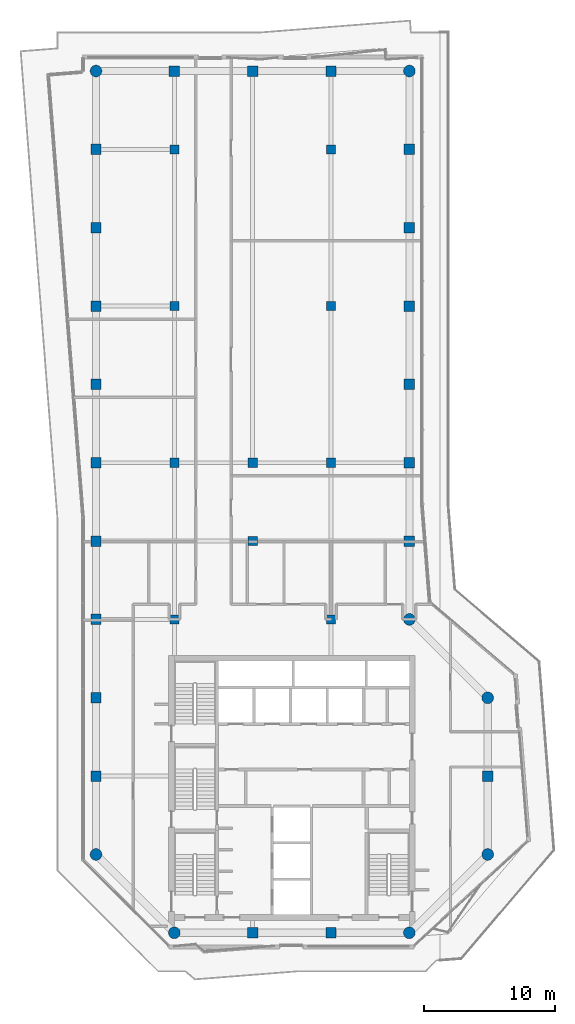
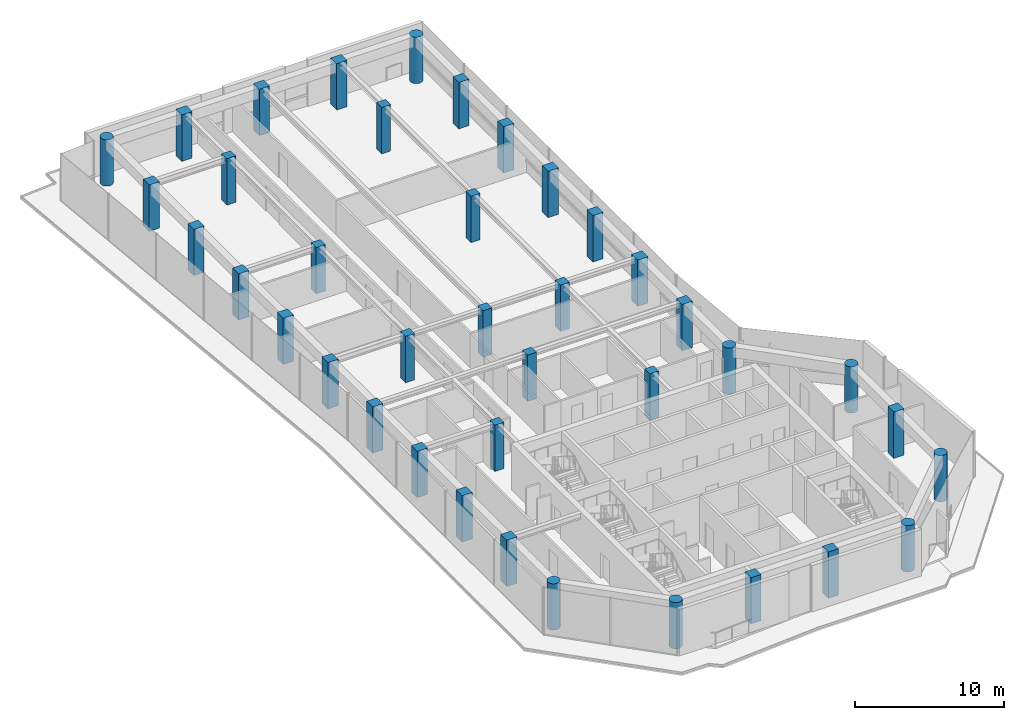
# One storey, part 1 of 23: 39 columns.
"""IFC4 building model written with IfcOpenShell, lengths in metres."""

from ifc_helpers import new_model, si_unit, direction, frame, origin, origin_2d, place, context, subcontext, project, spatial, rectangle, circle, extrude, material, material_profile, profile_set, type_object, element, save


model = new_model("IFC4")

# Units and contexts
model_context = context("Model", 3, precision=1e-05, world=origin(), true_north=direction((0.0, 1.0)))
body_context = subcontext(model_context, "Body", "Model", "MODEL_VIEW")
ifc_project = project(units=[si_unit("LENGTHUNIT", "METRE"), si_unit("AREAUNIT", "SQUARE_METRE"), si_unit("VOLUMEUNIT", "CUBIC_METRE"), si_unit("PLANEANGLEUNIT", "RADIAN"), si_unit("MASSUNIT", "GRAM", prefix="KILO")], contexts=[model_context])

# Site, building, storey
site_placement = place(None, origin())
site = spatial("IfcSite", under=ifc_project, at=site_placement, CompositionType="ELEMENT")
building_placement = place(site_placement, origin())
building = spatial("IfcBuilding", under=site, at=building_placement, Name="Welwitschia Terrace Campus", CompositionType="ELEMENT")
storey_placement = place(building_placement, frame((0.0, 0.0, 209.60009765625)))
storey = spatial("IfcBuildingStorey", under=building, at=storey_placement, Name="L46", CompositionType="ELEMENT", Elevation=209.60009765625)

# Columns
ifc_material_1 = material(Name="Concrete C50/60", Category="concrete")
ifc_material_profile_1 = material_profile(ifc_material_1, circle(Radius=0.449951171875, at=origin_2d()))
ifc_profile_set_1 = profile_set([ifc_material_profile_1], Name="Concrete C50/60")
column_type_1 = type_object("IfcColumnType", Name="Corner column 900 dia", PredefinedType="COLUMN", material=ifc_profile_set_1)
for number, where, z_axis, x_axis, name in (
    (1, (0.0, 10.0, 0.0), (0.0, 0.0, 1.0), (1.0, 0.0, 0.0), "Column C32"),
    (2, (0.0, 70.0, 0.0), (0.0, 0.0, 1.0), (1.0, 0.0, 0.0), "Column C32"),
    (3, (6.0, 4.0, 0.0), (0.0, 0.0, 1.0), (1.0, 0.0, 0.0), "Column C32"),
    (4, (24.0, 4.0, 0.0), (0.0, 0.0, 1.0), (1.0, 0.0, 0.0), "Column C32"),
    (5, (24.0, 28.0, 0.0), (0.0, 0.0, 1.0), (1.0, 0.0, 0.0), "Column C32"),
    (6, (24.0, 70.0, 0.0), (0.0, 0.0, 1.0), (1.0, 0.0, 0.0), "Column C32"),
    (7, (30.0, 10.0, 0.0), (0.0, 0.0, 1.0), (1.0, 0.0, 0.0), "Column C32"),
    (8, (30.0, 22.0, 0.0), (0.0, 0.0, 1.0), (1.0, 0.0, 0.0), "Column C32"),
):
    element("IfcColumn", number, at=place(storey_placement, frame(where, z_axis=z_axis, x_axis=x_axis)), inside=storey, type_object=column_type_1, Name=name, PredefinedType="COLUMN", context=body_context, shape_type="SweptSolid", body=[
        extrude(circle(Radius=0.449951171875, at=origin_2d()), origin(), (0.0, 0.0, 1.0), 3.7998046875),
    ])
ifc_material_2 = material(Name="Concrete C50/60", Category="concrete")
ifc_material_profile_2 = material_profile(ifc_material_2, rectangle(XDim=0.699951171875, YDim=0.699951171875, at=origin_2d()))
ifc_profile_set_2 = profile_set([ifc_material_profile_2], Name="Concrete C50/60")
column_type_2 = type_object("IfcColumnType", Name="Interior column 700x700", PredefinedType="COLUMN", material=ifc_profile_set_2)
for number, where, z_axis, x_axis, name in (
    (9, (6.0, 28.0, 0.0), (0.0, 0.0, 1.0), (1.0, 0.0, 0.0), "Column C34"),
    (10, (6.0, 40.0, 0.0), (0.0, 0.0, 1.0), (1.0, 0.0, 0.0), "Column C34"),
    (11, (6.0, 52.0, 0.0), (0.0, 0.0, 1.0), (1.0, 0.0, 0.0), "Column C34"),
    (12, (6.0, 64.0, 0.0), (0.0, 0.0, 1.0), (1.0, 0.0, 0.0), "Column C34"),
    (13, (12.0, 34.0, 0.0), (0.0, 0.0, 1.0), (1.0, 0.0, 0.0), "Column C34"),
    (14, (12.0, 40.0, 0.0), (0.0, 0.0, 1.0), (1.0, 0.0, 0.0), "Column C34"),
    (15, (18.0, 28.0, 0.0), (0.0, 0.0, 1.0), (1.0, 0.0, 0.0), "Column C34"),
    (16, (18.0, 40.0, 0.0), (0.0, 0.0, 1.0), (1.0, 0.0, 0.0), "Column C34"),
    (17, (18.0, 52.0, 0.0), (0.0, 0.0, 1.0), (1.0, 0.0, 0.0), "Column C34"),
    (18, (18.0, 64.0, 0.0), (0.0, 0.0, 1.0), (1.0, 0.0, 0.0), "Column C34"),
):
    element("IfcColumn", number, at=place(storey_placement, frame(where, z_axis=z_axis, x_axis=x_axis)), inside=storey, type_object=column_type_2, Name=name, PredefinedType="COLUMN", context=body_context, shape_type="SweptSolid", body=[
        extrude(rectangle(XDim=0.699951171875, YDim=0.699951171875, at=origin_2d()), origin(), (0.0, 0.0, 1.0), 3.7998046875),
    ])
ifc_material_3 = material(Name="Concrete C50/60", Category="concrete")
ifc_material_profile_3 = material_profile(ifc_material_3, rectangle(XDim=0.800048828125, YDim=0.800048828125, at=origin_2d()))
ifc_profile_set_3 = profile_set([ifc_material_profile_3], Name="Concrete C50/60")
column_type_3 = type_object("IfcColumnType", Name="Ring column 800x800", PredefinedType="COLUMN", material=ifc_profile_set_3)
for number, where, z_axis, x_axis, name in (
    (19, (0.0, 16.0, 0.0), (0.0, 0.0, 1.0), (1.0, 0.0, 0.0), "Column C33"),
    (20, (0.0, 22.0, 0.0), (0.0, 0.0, 1.0), (1.0, 0.0, 0.0), "Column C33"),
    (21, (0.0, 28.0, 0.0), (0.0, 0.0, 1.0), (1.0, 0.0, 0.0), "Column C33"),
    (22, (0.0, 34.0, 0.0), (0.0, 0.0, 1.0), (1.0, 0.0, 0.0), "Column C33"),
    (23, (0.0, 40.0, 0.0), (0.0, 0.0, 1.0), (1.0, 0.0, 0.0), "Column C33"),
    (24, (0.0, 46.0, 0.0), (0.0, 0.0, 1.0), (1.0, 0.0, 0.0), "Column C33"),
    (25, (0.0, 52.0, 0.0), (0.0, 0.0, 1.0), (1.0, 0.0, 0.0), "Column C33"),
    (26, (0.0, 58.0, 0.0), (0.0, 0.0, 1.0), (1.0, 0.0, 0.0), "Column C33"),
    (27, (0.0, 64.0, 0.0), (0.0, 0.0, 1.0), (1.0, 0.0, 0.0), "Column C33"),
    (28, (6.0, 70.0, 0.0), (0.0, 0.0, 1.0), (1.0, 0.0, 0.0), "Column C33"),
    (29, (12.0, 4.0, 0.0), (0.0, 0.0, 1.0), (1.0, 0.0, 0.0), "Column C33"),
    (30, (12.0, 70.0, 0.0), (0.0, 0.0, 1.0), (1.0, 0.0, 0.0), "Column C33"),
    (31, (18.0, 4.0, 0.0), (0.0, 0.0, 1.0), (1.0, 0.0, 0.0), "Column C33"),
    (32, (18.0, 70.0, 0.0), (0.0, 0.0, 1.0), (1.0, 0.0, 0.0), "Column C33"),
    (33, (24.0, 34.0, 0.0), (0.0, 0.0, 1.0), (1.0, 0.0, 0.0), "Column C33"),
    (34, (24.0, 40.0, 0.0), (0.0, 0.0, 1.0), (1.0, 0.0, 0.0), "Column C33"),
    (35, (24.0, 46.0, 0.0), (0.0, 0.0, 1.0), (1.0, 0.0, 0.0), "Column C33"),
    (36, (24.0, 52.0, 0.0), (0.0, 0.0, 1.0), (1.0, 0.0, 0.0), "Column C33"),
    (37, (24.0, 58.0, 0.0), (0.0, 0.0, 1.0), (1.0, 0.0, 0.0), "Column C33"),
    (38, (24.0, 64.0, 0.0), (0.0, 0.0, 1.0), (1.0, 0.0, 0.0), "Column C33"),
    (39, (30.0, 16.0, 0.0), (0.0, 0.0, 1.0), (1.0, 0.0, 0.0), "Column C33"),
):
    element("IfcColumn", number, at=place(storey_placement, frame(where, z_axis=z_axis, x_axis=x_axis)), inside=storey, type_object=column_type_3, Name=name, PredefinedType="COLUMN", context=body_context, shape_type="SweptSolid", body=[
        extrude(rectangle(XDim=0.800048828125, YDim=0.800048828125, at=origin_2d()), origin(), (0.0, 0.0, 1.0), 3.7998046875),
    ])

save(model, "model.ifc")
